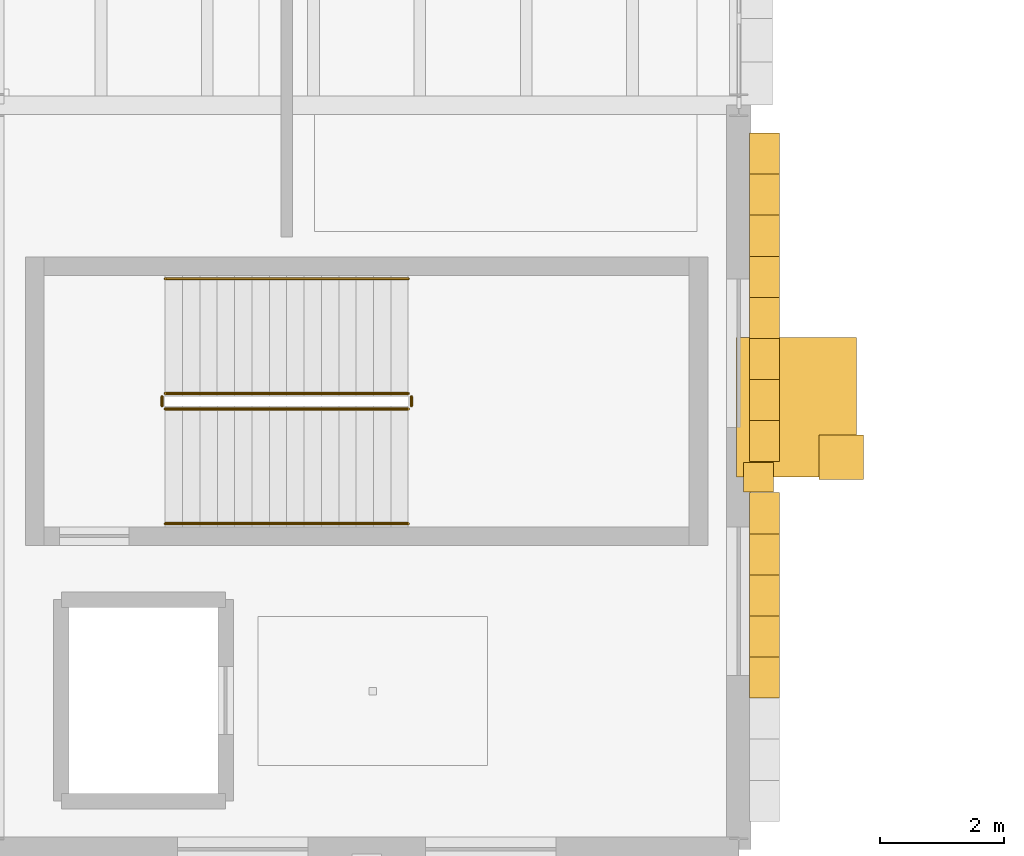
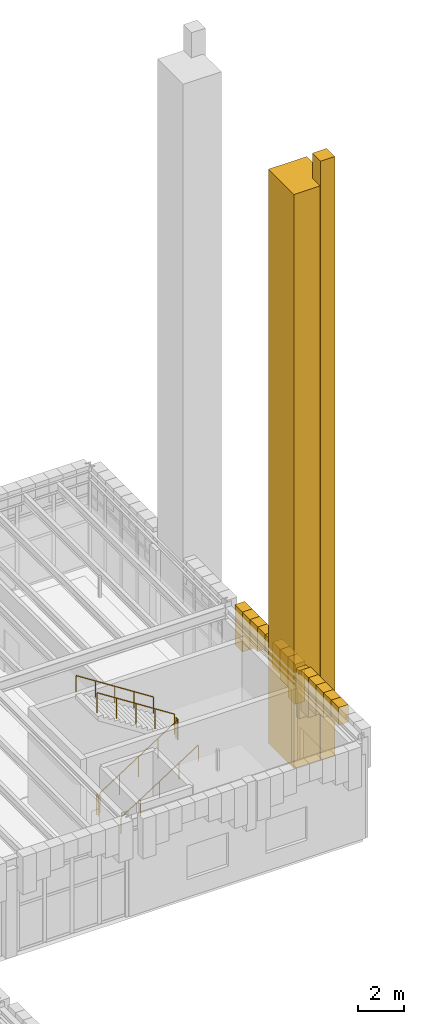
# One storey, part 99 of 103: 16 coverings, 6 railings.
"""IFC4 building model written with IfcOpenShell, lengths in metres."""

from ifc_helpers import new_model, si_unit, direction, frame, origin, origin_2d, place, context, subcontext, project, spatial, polyline, circle, outline, extrude, material, layer, layer_set, type_object, element, save


model = new_model("IFC4")

# Units and contexts
model_context = context("Model", 3, precision=1e-05, world=origin(), true_north=direction((0.0, 1.0)))
body_context = subcontext(model_context, "Body", "Model", "MODEL_VIEW")
ifc_project = project(units=[si_unit("LENGTHUNIT", "METRE"), si_unit("AREAUNIT", "SQUARE_METRE"), si_unit("VOLUMEUNIT", "CUBIC_METRE"), si_unit("PLANEANGLEUNIT", "RADIAN"), si_unit("MASSUNIT", "GRAM", prefix="KILO")], contexts=[model_context])

# Site, building, storey
site_placement = place(None, origin())
site = spatial("IfcSite", under=ifc_project, at=site_placement, CompositionType="ELEMENT")
building_placement = place(site_placement, origin())
building = spatial("IfcBuilding", under=site, at=building_placement, Name="Zlatogorsky Bluff Art Gallery", CompositionType="ELEMENT")
storey_placement = place(building_placement, origin())
storey = spatial("IfcBuildingStorey", under=building, at=storey_placement, Name="L00", CompositionType="ELEMENT", Elevation=0.0)

# Coverings
ifc_material_1 = material(Name="Honed Red Agra-Tone Quartzitic Sandstone", Category="masonry")
ifc_layer_1 = layer(ifc_material_1, 0.1201171875)
ifc_layer_set_1 = layer_set([ifc_layer_1], Name="Carved Sandstone Cladding CLD-02")
covering_type_1 = type_object("IfcCoveringType", Name="Carved Sandstone Cladding CLD-02", PredefinedType="CLADDING", material=ifc_layer_set_1)
covering_1_placement = place(storey_placement, frame((0.0, 0.0, 2.77001953125)))
element("IfcCovering", 1, at=covering_1_placement, inside=storey, type_object=covering_type_1, Name="Mughal blind-arch sandstone pilaster L00.E.12.8", PredefinedType="CLADDING", context=body_context, shape_type="SweptSolid", body=[
    extrude(outline(polyline([(156.080078125, 89.760009765625), (156.56005859375, 89.760009765625), (156.56005859375, 90.239990234375), (156.080078125, 90.239990234375), (156.080078125, 89.760009765625)])), origin(), (0.0, 0.0, 1.0), 2.590087890625),
])
covering_2_placement = place(storey_placement, frame((0.0, 0.0, 4.405517578125)))
element("IfcCovering", 2, at=covering_2_placement, inside=storey, type_object=covering_type_1, Name="Pointed Mughal arch voussoir spandrel WARCH-L00-E-12-08-A.4", PredefinedType="CLADDING", context=body_context, shape_type="SweptSolid", body=[
    extrude(outline(polyline([(156.169921875, 86.4375), (156.169921875, 87.10009765625), (156.659912109375, 87.10009765625), (156.659912109375, 86.4375), (156.169921875, 86.4375)])), origin(), (0.0, 0.0, 1.0), 0.95458984375),
])
covering_3_placement = place(storey_placement, frame((0.0, 0.0, 4.405517578125)))
element("IfcCovering", 3, at=covering_3_placement, inside=storey, type_object=covering_type_1, Name="Pointed Mughal arch voussoir spandrel WARCH-L00-E-12-08-A.5", PredefinedType="CLADDING", context=body_context, shape_type="SweptSolid", body=[
    extrude(outline(polyline([(156.169921875, 87.10009765625), (156.169921875, 87.762451171875), (156.659912109375, 87.762451171875), (156.659912109375, 87.10009765625), (156.169921875, 87.10009765625)])), origin(), (0.0, 0.0, 1.0), 0.95458984375),
])
covering_4_placement = place(storey_placement, frame((0.0, 0.0, 4.03662109375)))
element("IfcCovering", 4, at=covering_4_placement, inside=storey, type_object=covering_type_1, Name="Pointed Mughal arch voussoir spandrel WARCH-L00-E-12-08-A.6", PredefinedType="CLADDING", context=body_context, shape_type="SweptSolid", body=[
    extrude(outline(polyline([(156.169921875, 87.762451171875), (156.169921875, 88.425048828125), (156.659912109375, 88.425048828125), (156.659912109375, 87.762451171875), (156.169921875, 87.762451171875)])), origin(), (0.0, 0.0, 1.0), 1.323486328125),
])
covering_5_placement = place(storey_placement, frame((0.0, 0.0, 3.743896484375)))
element("IfcCovering", 5, at=covering_5_placement, inside=storey, type_object=covering_type_1, Name="Pointed Mughal arch voussoir spandrel WARCH-L00-E-12-08-A.7", PredefinedType="CLADDING", context=body_context, shape_type="SweptSolid", body=[
    extrude(outline(polyline([(156.169921875, 88.425048828125), (156.169921875, 89.08740234375), (156.659912109375, 89.08740234375), (156.659912109375, 88.425048828125), (156.169921875, 88.425048828125)])), origin(), (0.0, 0.0, 1.0), 1.6162109375),
])
covering_6_placement = place(storey_placement, frame((0.0, 0.0, 3.21240234375)))
element("IfcCovering", 6, at=covering_6_placement, inside=storey, type_object=covering_type_1, Name="Pointed Mughal arch voussoir spandrel WARCH-L00-E-12-08-A.8", PredefinedType="CLADDING", context=body_context, shape_type="SweptSolid", body=[
    extrude(outline(polyline([(156.169921875, 89.08740234375), (156.169921875, 89.75), (156.659912109375, 89.75), (156.659912109375, 89.08740234375), (156.169921875, 89.08740234375)])), origin(), (0.0, 0.0, 1.0), 2.147705078125),
])
covering_7_placement = place(storey_placement, frame((0.0, 0.0, 3.21240234375)))
element("IfcCovering", 7, at=covering_7_placement, inside=storey, type_object=covering_type_1, Name="Pointed Mughal arch voussoir spandrel WARCH-L00-E-12-08-B.1", PredefinedType="CLADDING", context=body_context, shape_type="SweptSolid", body=[
    extrude(outline(polyline([(156.169921875, 90.25), (156.169921875, 90.91259765625), (156.659912109375, 90.91259765625), (156.659912109375, 90.25), (156.169921875, 90.25)])), origin(), (0.0, 0.0, 1.0), 2.147705078125),
])
covering_8_placement = place(storey_placement, frame((0.0, 0.0, 3.743896484375)))
element("IfcCovering", 8, at=covering_8_placement, inside=storey, type_object=covering_type_1, Name="Pointed Mughal arch voussoir spandrel WARCH-L00-E-12-08-B.2", PredefinedType="CLADDING", context=body_context, shape_type="SweptSolid", body=[
    extrude(outline(polyline([(156.169921875, 90.91259765625), (156.169921875, 91.574951171875), (156.659912109375, 91.574951171875), (156.659912109375, 90.91259765625), (156.169921875, 90.91259765625)])), origin(), (0.0, 0.0, 1.0), 1.6162109375),
])
covering_9_placement = place(storey_placement, frame((0.0, 0.0, 4.03662109375)))
element("IfcCovering", 9, at=covering_9_placement, inside=storey, type_object=covering_type_1, Name="Pointed Mughal arch voussoir spandrel WARCH-L00-E-12-08-B.3", PredefinedType="CLADDING", context=body_context, shape_type="SweptSolid", body=[
    extrude(outline(polyline([(156.169921875, 91.574951171875), (156.169921875, 92.237548828125), (156.659912109375, 92.237548828125), (156.659912109375, 91.574951171875), (156.169921875, 91.574951171875)])), origin(), (0.0, 0.0, 1.0), 1.323486328125),
])
covering_10_placement = place(storey_placement, frame((0.0, 0.0, 4.405517578125)))
element("IfcCovering", 10, at=covering_10_placement, inside=storey, type_object=covering_type_1, Name="Pointed Mughal arch voussoir spandrel WARCH-L00-E-12-08-B.4", PredefinedType="CLADDING", context=body_context, shape_type="SweptSolid", body=[
    extrude(outline(polyline([(156.169921875, 92.237548828125), (156.169921875, 92.89990234375), (156.659912109375, 92.89990234375), (156.659912109375, 92.237548828125), (156.169921875, 92.237548828125)])), origin(), (0.0, 0.0, 1.0), 0.95458984375),
])
covering_11_placement = place(storey_placement, frame((0.0, 0.0, 4.405517578125)))
element("IfcCovering", 11, at=covering_11_placement, inside=storey, type_object=covering_type_1, Name="Pointed Mughal arch voussoir spandrel WARCH-L00-E-12-08-B.5", PredefinedType="CLADDING", context=body_context, shape_type="SweptSolid", body=[
    extrude(outline(polyline([(156.169921875, 92.89990234375), (156.169921875, 93.5625), (156.659912109375, 93.5625), (156.659912109375, 92.89990234375), (156.169921875, 92.89990234375)])), origin(), (0.0, 0.0, 1.0), 0.95458984375),
])
covering_12_placement = place(storey_placement, frame((0.0, 0.0, 4.03662109375)))
element("IfcCovering", 12, at=covering_12_placement, inside=storey, type_object=covering_type_1, Name="Pointed Mughal arch voussoir spandrel WARCH-L00-E-12-08-B.6", PredefinedType="CLADDING", context=body_context, shape_type="SweptSolid", body=[
    extrude(outline(polyline([(156.169921875, 93.5625), (156.169921875, 94.22509765625), (156.659912109375, 94.22509765625), (156.659912109375, 93.5625), (156.169921875, 93.5625)])), origin(), (0.0, 0.0, 1.0), 1.323486328125),
])
covering_13_placement = place(storey_placement, frame((0.0, 0.0, 3.743896484375)))
element("IfcCovering", 13, at=covering_13_placement, inside=storey, type_object=covering_type_1, Name="Pointed Mughal arch voussoir spandrel WARCH-L00-E-12-08-B.7", PredefinedType="CLADDING", context=body_context, shape_type="SweptSolid", body=[
    extrude(outline(polyline([(156.169921875, 94.22509765625), (156.169921875, 94.887451171875), (156.659912109375, 94.887451171875), (156.659912109375, 94.22509765625), (156.169921875, 94.22509765625)])), origin(), (0.0, 0.0, 1.0), 1.6162109375),
])
covering_14_placement = place(storey_placement, frame((0.0, 0.0, 3.21240234375)))
element("IfcCovering", 14, at=covering_14_placement, inside=storey, type_object=covering_type_1, Name="Pointed Mughal arch voussoir spandrel WARCH-L00-E-12-08-B.8", PredefinedType="CLADDING", context=body_context, shape_type="SweptSolid", body=[
    extrude(outline(polyline([(156.169921875, 94.887451171875), (156.169921875, 95.550048828125), (156.659912109375, 95.550048828125), (156.659912109375, 94.887451171875), (156.169921875, 94.887451171875)])), origin(), (0.0, 0.0, 1.0), 2.147705078125),
])
covering_15_placement = place(storey_placement, origin())
element("IfcCovering", 15, at=covering_15_placement, inside=storey, type_object=covering_type_1, Name="Monumental Pishtaq portal pier PISHTAQ-NE-EAST.L", PredefinedType="CLADDING", context=body_context, shape_type="SweptSolid", body=[
    extrude(outline(polyline([(155.9599609375, 90.0), (155.9599609375, 92.25), (157.89990234375, 92.25), (157.89990234375, 90.0), (155.9599609375, 90.0)])), origin(), (0.0, 0.0, 1.0), 30.800048828125),
])

# Railings
ifc_material_2 = material(Name="Architectural Bronze and Laminated Glass", Category="glass")
railing_type_1 = type_object("IfcRailingType", Name="Gallery Guard Rail 1100mm", PredefinedType="GUARDRAIL", material=ifc_material_2)
railing_1_placement = place(storey_placement, frame((146.75, 91.10009765625, 0.179931640625)))
element("IfcRailing", 16, at=railing_1_placement, inside=storey, type_object=railing_type_1, Name="L00 ST-04 stair guard 1", PredefinedType="GUARDRAIL", context=body_context, shape_type="SweptSolid", body=[
    extrude(circle(Radius=0.02392578125, at=origin_2d()), frame((0.0, 0.0, 1.076171875), z_axis=(0.841171666519, 0.0, 0.540768182723), x_axis=(0.0, 1.0, 0.0)), (0.0, 0.0, 1.0), 4.66015625),
    extrude(circle(Radius=0.02099609375, at=origin_2d()), origin(), (0.0, 0.0, 1.0), 1.052001953125),
    extrude(circle(Radius=0.02099609375, at=origin_2d()), frame((0.97998046875, 0.0, 0.6298828125)), (0.0, 0.0, 1.0), 1.052001953125),
    extrude(circle(Radius=0.02099609375, at=origin_2d()), frame((1.9599609375, 0.0, 1.260009765625)), (0.0, 0.0, 1.0), 1.052001953125),
    extrude(circle(Radius=0.02099609375, at=origin_2d()), frame((2.93994140625, 0.0, 1.89013671875)), (0.0, 0.0, 1.0), 1.052001953125),
    extrude(circle(Radius=0.02099609375, at=origin_2d()), frame((3.919921875, 0.0, 2.52001953125)), (0.0, 0.0, 1.0), 1.052001953125),
])
railing_2_placement = place(storey_placement, frame((150.719970703125, 91.14990234375, 2.699951171875)))
element("IfcRailing", 17, at=railing_2_placement, inside=storey, type_object=railing_type_1, Name="L00 ST-04 stair guard 2", PredefinedType="GUARDRAIL", context=body_context, shape_type="SweptSolid", body=[
    extrude(circle(Radius=0.02392578125, at=origin_2d()), frame((0.0, 0.0, 1.076171875), z_axis=(0.0, 1.0, 0.0), x_axis=(-1.0, 0.0, 0.0)), (0.0, 0.0, 1.0), 0.150146484375),
    extrude(circle(Radius=0.02099609375, at=origin_2d()), origin(), (0.0, 0.0, 1.0), 1.052001953125),
    extrude(circle(Radius=0.02099609375, at=origin_2d()), frame((0.0, 0.150146484375, 0.0)), (0.0, 0.0, 1.0), 1.052001953125),
])
railing_3_placement = place(storey_placement, frame((150.669921875, 91.35009765625, 2.8798828125)))
element("IfcRailing", 18, at=railing_3_placement, inside=storey, type_object=railing_type_1, Name="L00 ST-04 stair guard 3", PredefinedType="GUARDRAIL", context=body_context, shape_type="SweptSolid", body=[
    extrude(circle(Radius=0.02392578125, at=origin_2d()), frame((0.0, 0.0, 1.076171875), z_axis=(-0.841171666519, 0.0, 0.540768182723), x_axis=(0.0, -1.0, 0.0)), (0.0, 0.0, 1.0), 4.66015625),
    extrude(circle(Radius=0.02099609375, at=origin_2d()), origin(), (0.0, 0.0, 1.0), 1.052001953125),
    extrude(circle(Radius=0.02099609375, at=origin_2d()), frame((-0.97998046875, 0.0, 0.6298828125)), (0.0, 0.0, 1.0), 1.052001953125),
    extrude(circle(Radius=0.02099609375, at=origin_2d()), frame((-1.9599609375, 0.0, 1.260009765625)), (0.0, 0.0, 1.0), 1.052001953125),
    extrude(circle(Radius=0.02099609375, at=origin_2d()), frame((-2.93994140625, 0.0, 1.89013671875)), (0.0, 0.0, 1.0), 1.052001953125),
    extrude(circle(Radius=0.02099609375, at=origin_2d()), frame((-3.919921875, 0.0, 2.52001953125)), (0.0, 0.0, 1.0), 1.052001953125),
])
railing_4_placement = place(storey_placement, frame((146.699951171875, 91.14990234375, 0.0)))
element("IfcRailing", 19, at=railing_4_placement, inside=storey, type_object=railing_type_1, Name="L00 ST-04 stair guard 4", PredefinedType="GUARDRAIL", context=body_context, shape_type="SweptSolid", body=[
    extrude(circle(Radius=0.02392578125, at=origin_2d()), frame((0.0, 0.0, 1.076171875), z_axis=(0.0, 1.0, 0.0), x_axis=(-1.0, 0.0, 0.0)), (0.0, 0.0, 1.0), 0.150146484375),
    extrude(circle(Radius=0.02099609375, at=origin_2d()), origin(), (0.0, 0.0, 1.0), 1.052001953125),
    extrude(circle(Radius=0.02099609375, at=origin_2d()), frame((0.0, 0.150146484375, 0.0)), (0.0, 0.0, 1.0), 1.052001953125),
])
ifc_material_3 = material(Name="Brushed Stainless Steel", Category="steel")
railing_type_2 = type_object("IfcRailingType", Name="Stair Pitch Handrail 900mm", PredefinedType="HANDRAIL", material=ifc_material_3)
railing_5_placement = place(storey_placement, frame((146.75, 89.25, 0.179931640625)))
element("IfcRailing", 20, at=railing_5_placement, inside=storey, type_object=railing_type_2, Name="L00 ST-04 stair handrail 1", PredefinedType="HANDRAIL", context=body_context, shape_type="SweptSolid", body=[
    extrude(circle(Radius=0.02392578125, at=origin_2d()), frame((0.0, 0.0, 0.8759765625), z_axis=(0.841171666519, 0.0, 0.540768182723), x_axis=(0.0, 1.0, 0.0)), (0.0, 0.0, 1.0), 4.66015625),
    extrude(circle(Radius=0.02099609375, at=origin_2d()), origin(), (0.0, 0.0, 1.0), 0.851806640625),
    extrude(circle(Radius=0.02099609375, at=origin_2d()), frame((0.97998046875, 0.0, 0.6298828125)), (0.0, 0.0, 1.0), 0.851806640625),
    extrude(circle(Radius=0.02099609375, at=origin_2d()), frame((1.9599609375, 0.0, 1.260009765625)), (0.0, 0.0, 1.0), 0.851806640625),
    extrude(circle(Radius=0.02099609375, at=origin_2d()), frame((2.93994140625, 0.0, 1.89013671875)), (0.0, 0.0, 1.0), 0.851806640625),
    extrude(circle(Radius=0.02099609375, at=origin_2d()), frame((3.919921875, 0.0, 2.52001953125)), (0.0, 0.0, 1.0), 0.851806640625),
])
railing_6_placement = place(storey_placement, frame((150.669921875, 93.199951171875, 2.8798828125)))
element("IfcRailing", 21, at=railing_6_placement, inside=storey, type_object=railing_type_2, Name="L00 ST-04 stair handrail 2", PredefinedType="HANDRAIL", context=body_context, shape_type="SweptSolid", body=[
    extrude(circle(Radius=0.02392578125, at=origin_2d()), frame((0.0, 0.0, 0.8759765625), z_axis=(-0.841171666519, 0.0, 0.540768182723), x_axis=(0.0, -1.0, 0.0)), (0.0, 0.0, 1.0), 4.66015625),
    extrude(circle(Radius=0.02099609375, at=origin_2d()), origin(), (0.0, 0.0, 1.0), 0.851806640625),
    extrude(circle(Radius=0.02099609375, at=origin_2d()), frame((-0.97998046875, 0.0, 0.6298828125)), (0.0, 0.0, 1.0), 0.851806640625),
    extrude(circle(Radius=0.02099609375, at=origin_2d()), frame((-1.9599609375, 0.0, 1.260009765625)), (0.0, 0.0, 1.0), 0.851806640625),
    extrude(circle(Radius=0.02099609375, at=origin_2d()), frame((-2.93994140625, 0.0, 1.89013671875)), (0.0, 0.0, 1.0), 0.851806640625),
    extrude(circle(Radius=0.02099609375, at=origin_2d()), frame((-3.919921875, 0.0, 2.52001953125)), (0.0, 0.0, 1.0), 0.851806640625),
])

# Covering
ifc_material_4 = material(Name="Patinated Architectural Bronze Fin", Category="metal")
ifc_layer_2 = layer(ifc_material_4, 0.110107421875)
ifc_layer_set_2 = layer_set([ifc_layer_2], Name="Vertical Gallery Fin FIN-01")
covering_type_2 = type_object("IfcCoveringType", Name="Vertical Gallery Fin FIN-01", PredefinedType="CLADDING", material=ifc_layer_set_2)
covering_16_placement = place(storey_placement, origin())
element("IfcCovering", 22, at=covering_16_placement, inside=storey, type_object=covering_type_2, Name="Pishtaq corner guldasta turret PISHTAQ-NE-EAST.L", PredefinedType="CLADDING", context=body_context, shape_type="SweptSolid", body=[
    extrude(outline(polyline([(157.2900390625, 89.9599609375), (158.010009765625, 89.9599609375), (158.010009765625, 90.679931640625), (157.2900390625, 90.679931640625), (157.2900390625, 89.9599609375)])), origin(), (0.0, 0.0, 1.0), 32.14990234375),
])

save(model, "model.ifc")
